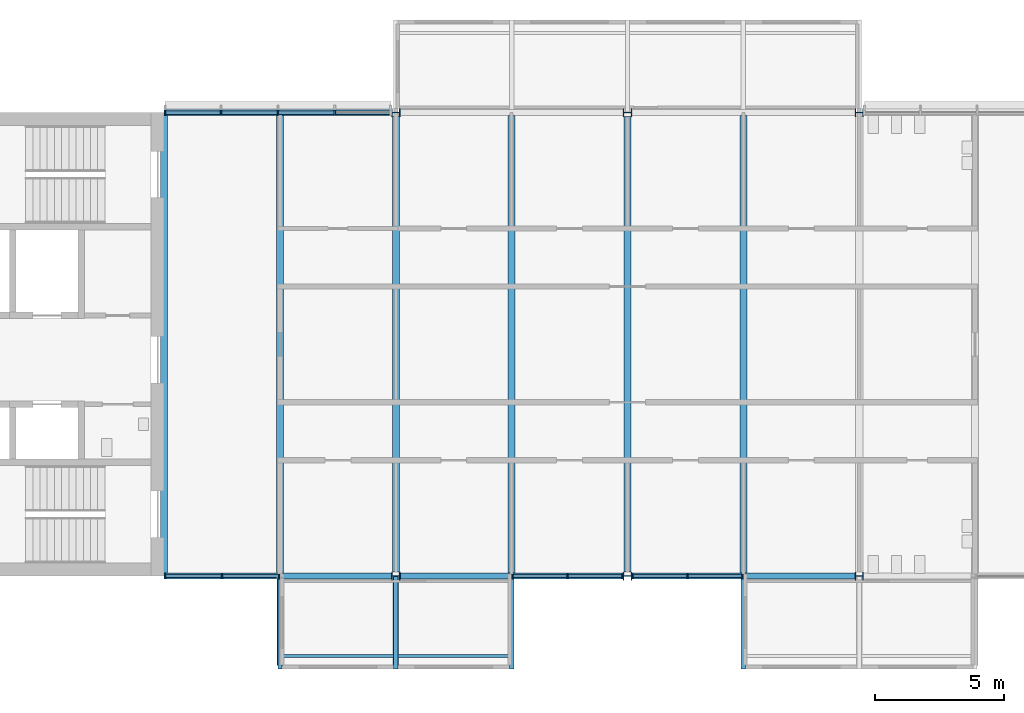
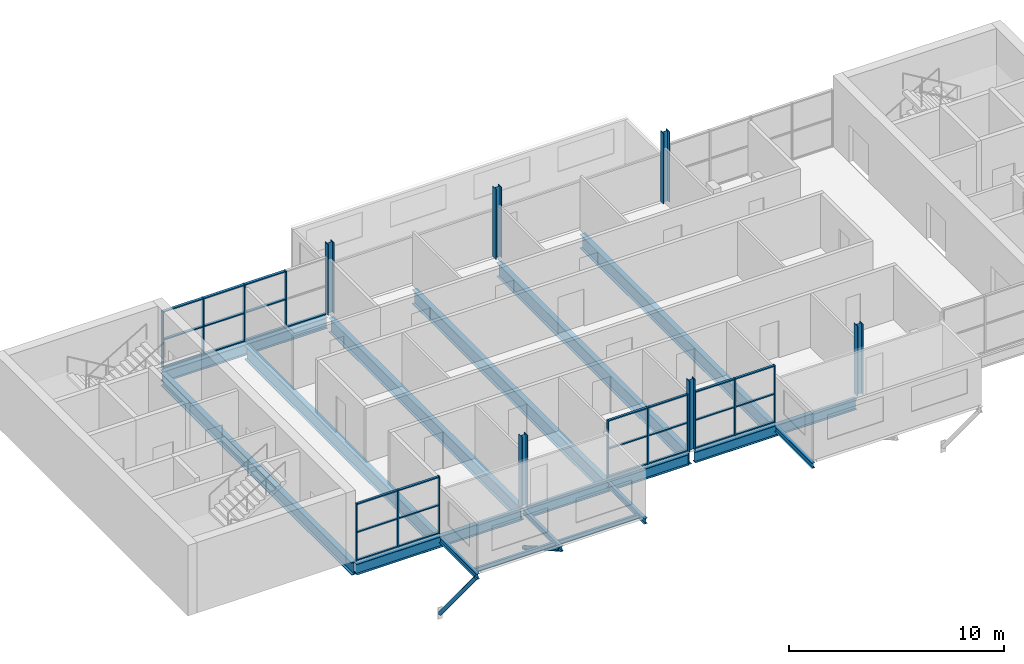
# One storey, part 1 of 12: 43 members, 16 beams, 6 columns, 4 elements without a shape of their own.
"""IFC4 building model written with IfcOpenShell, lengths in metres."""

from ifc_helpers import new_model, si_unit, direction, frame, origin, origin_2d, place, context, subcontext, project, spatial, rectangle, hollow_circle, i_section, extrude, material, layer, layer_set, material_profile, profile_set, type_object, element, aggregate, save


model = new_model("IFC4")

# Units and contexts
model_context = context("Model", 3, precision=1e-05, world=origin(), true_north=direction((0.0, 1.0)))
body_context = subcontext(model_context, "Body", "Model", "MODEL_VIEW")
ifc_project = project(units=[si_unit("LENGTHUNIT", "METRE"), si_unit("AREAUNIT", "SQUARE_METRE"), si_unit("VOLUMEUNIT", "CUBIC_METRE"), si_unit("PLANEANGLEUNIT", "RADIAN"), si_unit("MASSUNIT", "GRAM", prefix="KILO")], contexts=[model_context])

# Site, building, storey
site_placement = place(None, origin())
site = spatial("IfcSite", under=ifc_project, at=site_placement, CompositionType="ELEMENT")
building_placement = place(site_placement, origin())
building = spatial("IfcBuilding", under=site, at=building_placement, Name="Corbel Yard City Hall", CompositionType="ELEMENT")
storey_placement = place(building_placement, frame((0.0, 0.0, 55.199951171875)))
storey = spatial("IfcBuildingStorey", under=building, at=storey_placement, Name="L13", CompositionType="ELEMENT", Elevation=55.199951171875)

# Columns
ifc_material_1 = material(Name="Steel Grade 300 (300 MPa yield)", Category="steel")
ifc_material_profile_1 = material_profile(ifc_material_1, i_section(OverallWidth=0.31103515625, OverallDepth=0.326904296875, WebThickness=0.015625, FlangeThickness=0.02490234375, at=origin_2d()), Name="310UC158")
ifc_profile_set_1 = profile_set([ifc_material_profile_1], Name="Steel Grade 300 (300 MPa yield)")
column_type = type_object("IfcColumnType", Name="Column 310UC158", PredefinedType="COLUMN", material=ifc_profile_set_1)
for number, where, z_axis, x_axis, name in (
    (1, (18.0, 99.0, 0.0), (0.0, 0.0, 1.0), (0.0, 1.0, 0.0), "Column 310UC158 L/3 L13"),
    (2, (18.0, 117.0, 0.0), (0.0, 0.0, 1.0), (0.0, 1.0, 0.0), "Column 310UC158 N/3 L13"),
    (3, (27.0, 99.0, 0.0), (0.0, 0.0, 1.0), (0.0, 1.0, 0.0), "Column 310UC158 L/4 L13"),
    (4, (27.0, 117.0, 0.0), (0.0, 0.0, 1.0), (0.0, 1.0, 0.0), "Column 310UC158 N/4 L13"),
    (5, (36.0, 99.0, 0.0), (0.0, 0.0, 1.0), (0.0, 1.0, 0.0), "Column 310UC158 L/5 L13"),
    (6, (36.0, 117.0, 0.0), (0.0, 0.0, 1.0), (0.0, 1.0, 0.0), "Column 310UC158 N/5 L13"),
):
    element("IfcColumn", number, at=place(storey_placement, frame(where, z_axis=z_axis, x_axis=x_axis)), inside=storey, type_object=column_type, Name=name, PredefinedType="COLUMN", context=body_context, shape_type="SweptSolid", body=[
        extrude(i_section(OverallWidth=0.31103515625, OverallDepth=0.326904296875, WebThickness=0.015625, FlangeThickness=0.02490234375, at=origin_2d()), origin(), (0.0, 0.0, 1.0), 4.0),
    ])

# Beams
ifc_material_profile_2 = material_profile(ifc_material_1, i_section(OverallWidth=0.22900390625, OverallDepth=0.612060546875, WebThickness=0.011962890625, FlangeThickness=0.01953125, at=origin_2d()), Name="610UB125")
ifc_profile_set_2 = profile_set([ifc_material_profile_2], Name="Steel Grade 300 (300 MPa yield)")
beam_type_1 = type_object("IfcBeamType", Name="Edge beam 610UB125", PredefinedType="BEAM", material=ifc_profile_set_2)
beam_1_placement = place(storey_placement, frame((9.0, 99.0, -0.4560546875), z_axis=(1.0, 0.0, 0.0), x_axis=(0.0, 1.0, 0.0)))
element("IfcBeam", 7, at=beam_1_placement, inside=storey, type_object=beam_type_1, Name="Edge beam 610UB125 EB7 L13tower", PredefinedType="BEAM", context=body_context, shape_type="SweptSolid", body=[
    extrude(i_section(OverallWidth=0.22900390625, OverallDepth=0.612060546875, WebThickness=0.011962890625, FlangeThickness=0.01953125, at=origin_2d()), origin(), (0.0, 0.0, 1.0), 8.83642578125),
])
for number, where, z_axis, x_axis, name in (
    (8, (18.16357421875, 99.0, -0.4560546875), (1.0, 0.0, 0.0), (0.0, 1.0, 0.0), "Edge beam 610UB125 EB7 L13tower"),
    (9, (27.16357421875, 99.0, -0.4560546875), (1.0, 0.0, 0.0), (0.0, 1.0, 0.0), "Edge beam 610UB125 EB7 L13tower"),
):
    element("IfcBeam", number, at=place(storey_placement, frame(where, z_axis=z_axis, x_axis=x_axis)), inside=storey, type_object=beam_type_1, Name=name, PredefinedType="BEAM", context=body_context, shape_type="SweptSolid", body=[
        extrude(i_section(OverallWidth=0.22900390625, OverallDepth=0.612060546875, WebThickness=0.011962890625, FlangeThickness=0.01953125, at=origin_2d()), origin(), (0.0, 0.0, 1.0), 8.6728515625),
    ])
beam_2_placement = place(storey_placement, frame((9.0, 117.0, -0.4560546875), z_axis=(1.0, 0.0, 0.0), x_axis=(0.0, 1.0, 0.0)))
element("IfcBeam", 10, at=beam_2_placement, inside=storey, type_object=beam_type_1, Name="Edge beam 610UB125 EB7 L13tower", PredefinedType="BEAM", context=body_context, shape_type="SweptSolid", body=[
    extrude(i_section(OverallWidth=0.22900390625, OverallDepth=0.612060546875, WebThickness=0.011962890625, FlangeThickness=0.01953125, at=origin_2d()), origin(), (0.0, 0.0, 1.0), 8.83642578125),
])
ifc_material_2 = material(Name="Steel Grade 350", Category="steel")
ifc_material_profile_3 = material_profile(ifc_material_2, i_section(OverallWidth=0.27490234375, OverallDepth=0.800048828125, WebThickness=0.010009765625, FlangeThickness=0.02001953125, at=origin_2d()), Name="800WB146")
ifc_profile_set_3 = profile_set([ifc_material_profile_3], Name="Steel Grade 350")
beam_type_2 = type_object("IfcBeamType", Name="Long-span beam 800WB146", PredefinedType="BEAM", material=ifc_profile_set_3)
for number, where, z_axis, x_axis, name in (
    (11, (18.0, 99.155517578125, -0.550048828125), (0.0, 1.0, 0.0), (-1.0, 0.0, 0.0), "Long-span beam 800WB146 SB8 L13tower"),
    (12, (27.0, 99.155517578125, -0.550048828125), (0.0, 1.0, 0.0), (-1.0, 0.0, 0.0), "Long-span beam 800WB146 SB8 L13tower"),
):
    element("IfcBeam", number, at=place(storey_placement, frame(where, z_axis=z_axis, x_axis=x_axis)), inside=storey, type_object=beam_type_2, Name=name, PredefinedType="BEAM", context=body_context, shape_type="SweptSolid", body=[
        extrude(i_section(OverallWidth=0.27490234375, OverallDepth=0.800048828125, WebThickness=0.010009765625, FlangeThickness=0.02001953125, at=origin_2d()), origin(), (0.0, 0.0, 1.0), 17.68896484375),
    ])
ifc_material_profile_4 = material_profile(ifc_material_2, i_section(OverallWidth=0.27490234375, OverallDepth=0.716064453125, WebThickness=0.010009765625, FlangeThickness=0.028076171875, at=origin_2d()), Name="700WB173")
ifc_profile_set_4 = profile_set([ifc_material_profile_4], Name="Steel Grade 350")
beam_type_3 = type_object("IfcBeamType", Name="Long-span edge beam 700WB173", PredefinedType="BEAM", material=ifc_profile_set_4)
beam_3_placement = place(storey_placement, frame((9.0, 99.114501953125, -0.508056640625), z_axis=(0.0, 1.0, 0.0), x_axis=(-1.0, 0.0, 0.0)))
element("IfcBeam", 13, at=beam_3_placement, inside=storey, type_object=beam_type_3, Name="Long-span edge beam 700WB173 EB10 L13tower", PredefinedType="BEAM", context=body_context, shape_type="SweptSolid", body=[
    extrude(i_section(OverallWidth=0.27490234375, OverallDepth=0.716064453125, WebThickness=0.010009765625, FlangeThickness=0.028076171875, at=origin_2d()), origin(), (0.0, 0.0, 1.0), 17.77099609375),
])
ifc_material_profile_5 = material_profile(ifc_material_2, i_section(OverallWidth=0.27490234375, OverallDepth=0.800048828125, WebThickness=0.010009765625, FlangeThickness=0.02001953125, at=origin_2d()), Name="800WB146")
ifc_profile_set_5 = profile_set([ifc_material_profile_5], Name="Steel Grade 350")
beam_type_4 = type_object("IfcBeamType", Name="Long-span secondary beam 800WB146", PredefinedType="JOIST", material=ifc_profile_set_5)
for number, where, z_axis, x_axis, name in (
    (14, (13.5, 99.114501953125, -0.550048828125), (0.0, 1.0, 0.0), (-1.0, 0.0, 0.0), "Long-span secondary beam 800WB146 SB7 L13tower"),
    (15, (22.5, 99.114501953125, -0.550048828125), (0.0, 1.0, 0.0), (-1.0, 0.0, 0.0), "Long-span secondary beam 800WB146 SB7 L13tower"),
    (16, (31.5, 99.114501953125, -0.550048828125), (0.0, 1.0, 0.0), (-1.0, 0.0, 0.0), "Long-span secondary beam 800WB146 SB7 L13tower"),
):
    element("IfcBeam", number, at=place(storey_placement, frame(where, z_axis=z_axis, x_axis=x_axis)), inside=storey, type_object=beam_type_4, Name=name, PredefinedType="JOIST", context=body_context, shape_type="SweptSolid", body=[
        extrude(i_section(OverallWidth=0.27490234375, OverallDepth=0.800048828125, WebThickness=0.010009765625, FlangeThickness=0.02001953125, at=origin_2d()), origin(), (0.0, 0.0, 1.0), 17.77099609375),
    ])

# Curtain wall, members
ifc_material_3 = material(Name="Aluminium extrusion", Category="aluminium")
ifc_layer_1 = layer(ifc_material_3, 0.14990234375)
ifc_layer_set_1 = layer_set([ifc_layer_1], Name="Aluminium extrusion")
curtain_wall_type_1 = type_object("IfcCurtainWallType", Name="CW2", PredefinedType="USERDEFINED", material=ifc_layer_set_1)
curtain_wall_1_placement = place(storey_placement, origin())
curtain_wall_1 = element("IfcCurtainWall", 17, at=curtain_wall_1_placement, inside=storey, type_object=curtain_wall_type_1, Name="Curtain wall CW2 L13", ObjectType="CURTAIN WALL", PredefinedType="USERDEFINED")
ifc_material_profile_6 = material_profile(ifc_material_3, rectangle(XDim=0.14990234375, YDim=0.06494140625, at=origin_2d()), Name="150x65")
ifc_profile_set_6 = profile_set([ifc_material_profile_6], Name="Aluminium extrusion")
member_type_1 = type_object("IfcMemberType", Name="ML2", PredefinedType="MULLION", material=ifc_profile_set_6)
member_1_placement = place(storey_placement, frame((9.032470703125, 99.0, 0.0), z_axis=(0.0, 0.0, 1.0), x_axis=(0.0, 1.0, 0.0)))
member_1 = element("IfcMember", 18, at=member_1_placement, type_object=member_type_1, Name="CW2 mullion 1", PredefinedType="MULLION", context=body_context, shape_type="SweptSolid", body=[
    extrude(rectangle(XDim=0.14990234375, YDim=0.06494140625, at=origin_2d()), origin(), (0.0, 0.0, 1.0), 3.238037109375),
])
member_2_placement = place(storey_placement, frame((11.25, 99.0, 0.0), z_axis=(0.0, 0.0, 1.0), x_axis=(0.0, 1.0, 0.0)))
member_2 = element("IfcMember", 19, at=member_2_placement, type_object=member_type_1, Name="CW2 mullion 2", PredefinedType="MULLION", context=body_context, shape_type="SweptSolid", body=[
    extrude(rectangle(XDim=0.14990234375, YDim=0.06494140625, at=origin_2d()), origin(), (0.0, 0.0, 1.0), 3.238037109375),
])
member_3_placement = place(storey_placement, frame((13.467529296875, 99.0, 0.0), z_axis=(0.0, 0.0, 1.0), x_axis=(0.0, 1.0, 0.0)))
member_3 = element("IfcMember", 20, at=member_3_placement, type_object=member_type_1, Name="CW2 mullion 3", PredefinedType="MULLION", context=body_context, shape_type="SweptSolid", body=[
    extrude(rectangle(XDim=0.14990234375, YDim=0.06494140625, at=origin_2d()), origin(), (0.0, 0.0, 1.0), 3.238037109375),
])

curtain_wall_2_placement = place(storey_placement, origin())
curtain_wall_2 = element("IfcCurtainWall", 21, at=curtain_wall_2_placement, inside=storey, type_object=curtain_wall_type_1, Name="Curtain wall CW2 L13", ObjectType="CURTAIN WALL", PredefinedType="USERDEFINED")
member_4_placement = place(storey_placement, frame((22.532470703125, 99.0, 0.0), z_axis=(0.0, 0.0, 1.0), x_axis=(0.0, 1.0, 0.0)))
member_4 = element("IfcMember", 22, at=member_4_placement, type_object=member_type_1, Name="CW2 mullion 1", PredefinedType="MULLION", context=body_context, shape_type="SweptSolid", body=[
    extrude(rectangle(XDim=0.14990234375, YDim=0.06494140625, at=origin_2d()), origin(), (0.0, 0.0, 1.0), 3.238037109375),
])
member_5_placement = place(storey_placement, frame((24.668212890625, 99.0, 0.0), z_axis=(0.0, 0.0, 1.0), x_axis=(0.0, 1.0, 0.0)))
member_5 = element("IfcMember", 23, at=member_5_placement, type_object=member_type_1, Name="CW2 mullion 2", PredefinedType="MULLION", context=body_context, shape_type="SweptSolid", body=[
    extrude(rectangle(XDim=0.14990234375, YDim=0.06494140625, at=origin_2d()), origin(), (0.0, 0.0, 1.0), 3.238037109375),
])
member_6_placement = place(storey_placement, frame((26.803955078125, 99.0, 0.0), z_axis=(0.0, 0.0, 1.0), x_axis=(0.0, 1.0, 0.0)))
member_6 = element("IfcMember", 24, at=member_6_placement, type_object=member_type_1, Name="CW2 mullion 3", PredefinedType="MULLION", context=body_context, shape_type="SweptSolid", body=[
    extrude(rectangle(XDim=0.14990234375, YDim=0.06494140625, at=origin_2d()), origin(), (0.0, 0.0, 1.0), 3.238037109375),
])

curtain_wall_3_placement = place(storey_placement, origin())
curtain_wall_3 = element("IfcCurtainWall", 25, at=curtain_wall_3_placement, inside=storey, type_object=curtain_wall_type_1, Name="Curtain wall CW2 L13", ObjectType="CURTAIN WALL", PredefinedType="USERDEFINED")
member_7_placement = place(storey_placement, frame((27.196044921875, 99.0, 0.0), z_axis=(0.0, 0.0, 1.0), x_axis=(0.0, 1.0, 0.0)))
member_7 = element("IfcMember", 26, at=member_7_placement, type_object=member_type_1, Name="CW2 mullion 1", PredefinedType="MULLION", context=body_context, shape_type="SweptSolid", body=[
    extrude(rectangle(XDim=0.14990234375, YDim=0.06494140625, at=origin_2d()), origin(), (0.0, 0.0, 1.0), 3.238037109375),
])
member_8_placement = place(storey_placement, frame((29.331787109375, 99.0, 0.0), z_axis=(0.0, 0.0, 1.0), x_axis=(0.0, 1.0, 0.0)))
member_8 = element("IfcMember", 27, at=member_8_placement, type_object=member_type_1, Name="CW2 mullion 2", PredefinedType="MULLION", context=body_context, shape_type="SweptSolid", body=[
    extrude(rectangle(XDim=0.14990234375, YDim=0.06494140625, at=origin_2d()), origin(), (0.0, 0.0, 1.0), 3.238037109375),
])
member_9_placement = place(storey_placement, frame((31.467529296875, 99.0, 0.0), z_axis=(0.0, 0.0, 1.0), x_axis=(0.0, 1.0, 0.0)))
member_9 = element("IfcMember", 28, at=member_9_placement, type_object=member_type_1, Name="CW2 mullion 3", PredefinedType="MULLION", context=body_context, shape_type="SweptSolid", body=[
    extrude(rectangle(XDim=0.14990234375, YDim=0.06494140625, at=origin_2d()), origin(), (0.0, 0.0, 1.0), 3.238037109375),
])

ifc_layer_2 = layer(ifc_material_3, 0.179931640625)
ifc_layer_set_2 = layer_set([ifc_layer_2], Name="Aluminium extrusion")
curtain_wall_type_2 = type_object("IfcCurtainWallType", Name="CW6", PredefinedType="USERDEFINED", material=ifc_layer_set_2)
curtain_wall_4_placement = place(storey_placement, origin())
curtain_wall_4 = element("IfcCurtainWall", 29, at=curtain_wall_4_placement, inside=storey, type_object=curtain_wall_type_2, Name="Curtain wall CW6 L13", ObjectType="CURTAIN WALL", PredefinedType="USERDEFINED")
ifc_material_profile_7 = material_profile(ifc_material_3, rectangle(XDim=0.179931640625, YDim=0.06494140625, at=origin_2d()), Name="180x65")
ifc_profile_set_7 = profile_set([ifc_material_profile_7], Name="Aluminium extrusion")
member_type_2 = type_object("IfcMemberType", Name="ML6", PredefinedType="MULLION", material=ifc_profile_set_7)
member_10_placement = place(storey_placement, frame((9.032470703125, 117.0, 0.0), z_axis=(0.0, 0.0, 1.0), x_axis=(0.0, 1.0, 0.0)))
member_10 = element("IfcMember", 30, at=member_10_placement, type_object=member_type_2, Name="CW6 mullion 1", PredefinedType="MULLION", context=body_context, shape_type="SweptSolid", body=[
    extrude(rectangle(XDim=0.179931640625, YDim=0.06494140625, at=origin_2d()), origin(), (0.0, 0.0, 1.0), 3.238037109375),
])
member_11_placement = place(storey_placement, frame((11.209228515625, 117.0, 0.0), z_axis=(0.0, 0.0, 1.0), x_axis=(0.0, 1.0, 0.0)))
member_11 = element("IfcMember", 31, at=member_11_placement, type_object=member_type_2, Name="CW6 mullion 2", PredefinedType="MULLION", context=body_context, shape_type="SweptSolid", body=[
    extrude(rectangle(XDim=0.179931640625, YDim=0.06494140625, at=origin_2d()), origin(), (0.0, 0.0, 1.0), 3.238037109375),
])
member_12_placement = place(storey_placement, frame((13.418212890625, 117.0, 0.0), z_axis=(0.0, 0.0, 1.0), x_axis=(0.0, 1.0, 0.0)))
member_12 = element("IfcMember", 32, at=member_12_placement, type_object=member_type_2, Name="CW6 mullion 3", PredefinedType="MULLION", context=body_context, shape_type="SweptSolid", body=[
    extrude(rectangle(XDim=0.179931640625, YDim=0.06494140625, at=origin_2d()), origin(), (0.0, 0.0, 1.0), 3.238037109375),
])
member_13_placement = place(storey_placement, frame((15.62744140625, 117.0, 0.0), z_axis=(0.0, 0.0, 1.0), x_axis=(0.0, 1.0, 0.0)))
member_13 = element("IfcMember", 33, at=member_13_placement, type_object=member_type_2, Name="CW6 mullion 4", PredefinedType="MULLION", context=body_context, shape_type="SweptSolid", body=[
    extrude(rectangle(XDim=0.179931640625, YDim=0.06494140625, at=origin_2d()), origin(), (0.0, 0.0, 1.0), 3.238037109375),
])

# Members
ifc_material_4 = material(Name="Steel Grade C350L0", Category="steel")
ifc_material_profile_8 = material_profile(ifc_material_4, hollow_circle(Radius=0.109619140625, WallThickness=0.00830078125, at=origin_2d()), Name="219.1x8.2CHS")
ifc_profile_set_8 = profile_set([ifc_material_profile_8], Name="Steel Grade C350L0")
member_type_3 = type_object("IfcMemberType", Name="Pod knee brace", PredefinedType="BRACE", material=ifc_profile_set_8)
member_14_placement = place(storey_placement, frame((13.5, 95.56005859375, -0.4169921875), z_axis=(0.0, 0.634337153604, -0.773056515112), x_axis=(-1.0, 0.0, 0.0)))
element("IfcMember", 34, at=member_14_placement, inside=storey, type_object=member_type_3, Name="Pod knee brace", PredefinedType="BRACE", context=body_context, shape_type="SweptSolid", body=[
    extrude(hollow_circle(Radius=0.109619140625, WallThickness=0.00830078125, at=origin_2d()), origin(), (0.0, 0.0, 1.0), 5.28173828125),
])
member_15_placement = place(storey_placement, frame((18.0, 95.56005859375, -0.4169921875), z_axis=(0.0, 0.865984367075, -0.500071070931), x_axis=(-1.0, 0.0, 0.0)))
element("IfcMember", 35, at=member_15_placement, inside=storey, type_object=member_type_3, Name="Pod knee brace", PredefinedType="BRACE", context=body_context, shape_type="SweptSolid", body=[
    extrude(hollow_circle(Radius=0.109619140625, WallThickness=0.00830078125, at=origin_2d()), origin(), (0.0, 0.0, 1.0), 3.89990234375),
])

# Beams
ifc_material_profile_9 = material_profile(ifc_material_1, i_section(OverallWidth=0.166015625, OverallDepth=0.306884765625, WebThickness=0.006591796875, FlangeThickness=0.01171875, at=origin_2d()), Name="310UB46.2")
ifc_profile_set_9 = profile_set([ifc_material_profile_9], Name="Steel Grade 300 (300 MPa yield)")
beam_type_5 = type_object("IfcBeamType", Name="Pod stub beam 310UB46.2", PredefinedType="BEAM", material=ifc_profile_set_9)
beam_4_placement = place(storey_placement, frame((13.5, 95.39990234375, -0.303466796875), z_axis=(0.0, 1.0, 0.0), x_axis=(-1.0, 0.0, 0.0)))
element("IfcBeam", 36, at=beam_4_placement, inside=storey, type_object=beam_type_5, Name="Pod stub 310UB46.2 CB1 L13", PredefinedType="BEAM", context=body_context, shape_type="SweptSolid", body=[
    extrude(i_section(OverallWidth=0.166015625, OverallDepth=0.306884765625, WebThickness=0.006591796875, FlangeThickness=0.01171875, at=origin_2d()), origin(), (0.0, 0.0, 1.0), 3.485595703125),
])
beam_5_placement = place(storey_placement, frame((18.0, 95.39990234375, -0.303466796875), z_axis=(0.0, 1.0, 0.0), x_axis=(-1.0, 0.0, 0.0)))
element("IfcBeam", 37, at=beam_5_placement, inside=storey, type_object=beam_type_5, Name="Pod stub 310UB46.2 CB1 L13", PredefinedType="BEAM", context=body_context, shape_type="SweptSolid", body=[
    extrude(i_section(OverallWidth=0.166015625, OverallDepth=0.306884765625, WebThickness=0.006591796875, FlangeThickness=0.01171875, at=origin_2d()), origin(), (0.0, 0.0, 1.0), 3.59228515625),
])
for number, where, z_axis, x_axis, name in (
    (38, (22.5, 95.39990234375, -0.303466796875), (0.0, 1.0, 0.0), (-1.0, 0.0, 0.0), "Pod stub 310UB46.2 CB1 L13"),
    (39, (31.5, 95.39990234375, -0.303466796875), (0.0, 1.0, 0.0), (-1.0, 0.0, 0.0), "Pod stub 310UB46.2 CB1 L13"),
):
    element("IfcBeam", number, at=place(storey_placement, frame(where, z_axis=z_axis, x_axis=x_axis)), inside=storey, type_object=beam_type_5, Name=name, PredefinedType="BEAM", context=body_context, shape_type="SweptSolid", body=[
        extrude(i_section(OverallWidth=0.166015625, OverallDepth=0.306884765625, WebThickness=0.006591796875, FlangeThickness=0.01171875, at=origin_2d()), origin(), (0.0, 0.0, 1.0), 3.485595703125),
    ])
ifc_material_profile_10 = material_profile(ifc_material_1, i_section(OverallWidth=0.1240234375, OverallDepth=0.248046875, WebThickness=0.0048828125, FlangeThickness=0.008056640625, at=origin_2d()), Name="250UB25.7")
ifc_profile_set_10 = profile_set([ifc_material_profile_10], Name="Steel Grade 300 (300 MPa yield)")
beam_type_6 = type_object("IfcBeamType", Name="Pod tip beam", PredefinedType="BEAM", material=ifc_profile_set_10)
for number, where, z_axis, x_axis, name in (
    (40, (13.5830078125, 95.89990234375, -0.27392578125), (1.0, 0.0, 0.0), (0.0, 1.0, 0.0), "Pod tip beam"),
    (41, (18.0830078125, 95.89990234375, -0.27392578125), (1.0, 0.0, 0.0), (0.0, 1.0, 0.0), "Pod tip beam"),
):
    element("IfcBeam", number, at=place(storey_placement, frame(where, z_axis=z_axis, x_axis=x_axis)), inside=storey, type_object=beam_type_6, Name=name, PredefinedType="BEAM", context=body_context, shape_type="SweptSolid", body=[
        extrude(i_section(OverallWidth=0.1240234375, OverallDepth=0.248046875, WebThickness=0.0048828125, FlangeThickness=0.008056640625, at=origin_2d()), origin(), (0.0, 0.0, 1.0), 4.333984375),
    ])

# Member
ifc_material_profile_11 = material_profile(ifc_material_3, rectangle(XDim=0.1201171875, YDim=0.06494140625, at=origin_2d()), Name="120x65")
ifc_profile_set_11 = profile_set([ifc_material_profile_11], Name="Aluminium extrusion")
member_type_4 = type_object("IfcMemberType", Name="TR2", PredefinedType="USERDEFINED", material=ifc_profile_set_11)
member_16_placement = place(storey_placement, frame((9.06494140625, 99.0, 0.032470703125), z_axis=(1.0, 0.0, 0.0), x_axis=(0.0, 1.0, 0.0)))
member_16 = element("IfcMember", 42, at=member_16_placement, type_object=member_type_4, Name="CW2 transom 1.1", ObjectType="TRANSOM", PredefinedType="USERDEFINED", context=body_context, shape_type="SweptSolid", body=[
    extrude(rectangle(XDim=0.1201171875, YDim=0.06494140625, at=origin_2d()), origin(), (0.0, 0.0, 1.0), 2.152587890625),
])

member_17_placement = place(storey_placement, frame((9.06494140625, 99.0, 1.619140625), z_axis=(1.0, 0.0, 0.0), x_axis=(0.0, 1.0, 0.0)))
member_17 = element("IfcMember", 43, at=member_17_placement, type_object=member_type_4, Name="CW2 transom 1.2", ObjectType="TRANSOM", PredefinedType="USERDEFINED", context=body_context, shape_type="SweptSolid", body=[
    extrude(rectangle(XDim=0.1201171875, YDim=0.06494140625, at=origin_2d()), origin(), (0.0, 0.0, 1.0), 2.152587890625),
])

member_18_placement = place(storey_placement, frame((9.06494140625, 99.0, 3.20556640625), z_axis=(1.0, 0.0, 0.0), x_axis=(0.0, 1.0, 0.0)))
member_18 = element("IfcMember", 44, at=member_18_placement, type_object=member_type_4, Name="CW2 transom 1.3", ObjectType="TRANSOM", PredefinedType="USERDEFINED", context=body_context, shape_type="SweptSolid", body=[
    extrude(rectangle(XDim=0.1201171875, YDim=0.06494140625, at=origin_2d()), origin(), (0.0, 0.0, 1.0), 2.152587890625),
])

member_19_placement = place(storey_placement, frame((11.282470703125, 99.0, 0.032470703125), z_axis=(1.0, 0.0, 0.0), x_axis=(0.0, 1.0, 0.0)))
member_19 = element("IfcMember", 45, at=member_19_placement, type_object=member_type_4, Name="CW2 transom 2.1", ObjectType="TRANSOM", PredefinedType="USERDEFINED", context=body_context, shape_type="SweptSolid", body=[
    extrude(rectangle(XDim=0.1201171875, YDim=0.06494140625, at=origin_2d()), origin(), (0.0, 0.0, 1.0), 2.152587890625),
])

member_20_placement = place(storey_placement, frame((11.282470703125, 99.0, 1.619140625), z_axis=(1.0, 0.0, 0.0), x_axis=(0.0, 1.0, 0.0)))
member_20 = element("IfcMember", 46, at=member_20_placement, type_object=member_type_4, Name="CW2 transom 2.2", ObjectType="TRANSOM", PredefinedType="USERDEFINED", context=body_context, shape_type="SweptSolid", body=[
    extrude(rectangle(XDim=0.1201171875, YDim=0.06494140625, at=origin_2d()), origin(), (0.0, 0.0, 1.0), 2.152587890625),
])

member_21_placement = place(storey_placement, frame((11.282470703125, 99.0, 3.20556640625), z_axis=(1.0, 0.0, 0.0), x_axis=(0.0, 1.0, 0.0)))
member_21 = element("IfcMember", 47, at=member_21_placement, type_object=member_type_4, Name="CW2 transom 2.3", ObjectType="TRANSOM", PredefinedType="USERDEFINED", context=body_context, shape_type="SweptSolid", body=[
    extrude(rectangle(XDim=0.1201171875, YDim=0.06494140625, at=origin_2d()), origin(), (0.0, 0.0, 1.0), 2.152587890625),
])

aggregate(curtain_wall_1, [member_1, member_2, member_3, member_16, member_17, member_18, member_19, member_20, member_21])

member_22_placement = place(storey_placement, frame((22.56494140625, 99.0, 0.032470703125), z_axis=(1.0, 0.0, 0.0), x_axis=(0.0, 1.0, 0.0)))
member_22 = element("IfcMember", 48, at=member_22_placement, type_object=member_type_4, Name="CW2 transom 1.1", ObjectType="TRANSOM", PredefinedType="USERDEFINED", context=body_context, shape_type="SweptSolid", body=[
    extrude(rectangle(XDim=0.1201171875, YDim=0.06494140625, at=origin_2d()), origin(), (0.0, 0.0, 1.0), 2.07080078125),
])

member_23_placement = place(storey_placement, frame((22.56494140625, 99.0, 1.619140625), z_axis=(1.0, 0.0, 0.0), x_axis=(0.0, 1.0, 0.0)))
member_23 = element("IfcMember", 49, at=member_23_placement, type_object=member_type_4, Name="CW2 transom 1.2", ObjectType="TRANSOM", PredefinedType="USERDEFINED", context=body_context, shape_type="SweptSolid", body=[
    extrude(rectangle(XDim=0.1201171875, YDim=0.06494140625, at=origin_2d()), origin(), (0.0, 0.0, 1.0), 2.07080078125),
])

member_24_placement = place(storey_placement, frame((22.56494140625, 99.0, 3.20556640625), z_axis=(1.0, 0.0, 0.0), x_axis=(0.0, 1.0, 0.0)))
member_24 = element("IfcMember", 50, at=member_24_placement, type_object=member_type_4, Name="CW2 transom 1.3", ObjectType="TRANSOM", PredefinedType="USERDEFINED", context=body_context, shape_type="SweptSolid", body=[
    extrude(rectangle(XDim=0.1201171875, YDim=0.06494140625, at=origin_2d()), origin(), (0.0, 0.0, 1.0), 2.07080078125),
])

member_25_placement = place(storey_placement, frame((24.70068359375, 99.0, 0.032470703125), z_axis=(1.0, 0.0, 0.0), x_axis=(0.0, 1.0, 0.0)))
member_25 = element("IfcMember", 51, at=member_25_placement, type_object=member_type_4, Name="CW2 transom 2.1", ObjectType="TRANSOM", PredefinedType="USERDEFINED", context=body_context, shape_type="SweptSolid", body=[
    extrude(rectangle(XDim=0.1201171875, YDim=0.06494140625, at=origin_2d()), origin(), (0.0, 0.0, 1.0), 2.07080078125),
])

member_26_placement = place(storey_placement, frame((24.70068359375, 99.0, 1.619140625), z_axis=(1.0, 0.0, 0.0), x_axis=(0.0, 1.0, 0.0)))
member_26 = element("IfcMember", 52, at=member_26_placement, type_object=member_type_4, Name="CW2 transom 2.2", ObjectType="TRANSOM", PredefinedType="USERDEFINED", context=body_context, shape_type="SweptSolid", body=[
    extrude(rectangle(XDim=0.1201171875, YDim=0.06494140625, at=origin_2d()), origin(), (0.0, 0.0, 1.0), 2.07080078125),
])

member_27_placement = place(storey_placement, frame((24.70068359375, 99.0, 3.20556640625), z_axis=(1.0, 0.0, 0.0), x_axis=(0.0, 1.0, 0.0)))
member_27 = element("IfcMember", 53, at=member_27_placement, type_object=member_type_4, Name="CW2 transom 2.3", ObjectType="TRANSOM", PredefinedType="USERDEFINED", context=body_context, shape_type="SweptSolid", body=[
    extrude(rectangle(XDim=0.1201171875, YDim=0.06494140625, at=origin_2d()), origin(), (0.0, 0.0, 1.0), 2.07080078125),
])

aggregate(curtain_wall_2, [member_4, member_5, member_6, member_22, member_23, member_24, member_25, member_26, member_27])

member_28_placement = place(storey_placement, frame((27.228515625, 99.0, 0.032470703125), z_axis=(1.0, 0.0, 0.0), x_axis=(0.0, 1.0, 0.0)))
member_28 = element("IfcMember", 54, at=member_28_placement, type_object=member_type_4, Name="CW2 transom 1.1", ObjectType="TRANSOM", PredefinedType="USERDEFINED", context=body_context, shape_type="SweptSolid", body=[
    extrude(rectangle(XDim=0.1201171875, YDim=0.06494140625, at=origin_2d()), origin(), (0.0, 0.0, 1.0), 2.07080078125),
])

member_29_placement = place(storey_placement, frame((27.228515625, 99.0, 1.619140625), z_axis=(1.0, 0.0, 0.0), x_axis=(0.0, 1.0, 0.0)))
member_29 = element("IfcMember", 55, at=member_29_placement, type_object=member_type_4, Name="CW2 transom 1.2", ObjectType="TRANSOM", PredefinedType="USERDEFINED", context=body_context, shape_type="SweptSolid", body=[
    extrude(rectangle(XDim=0.1201171875, YDim=0.06494140625, at=origin_2d()), origin(), (0.0, 0.0, 1.0), 2.07080078125),
])

member_30_placement = place(storey_placement, frame((27.228515625, 99.0, 3.20556640625), z_axis=(1.0, 0.0, 0.0), x_axis=(0.0, 1.0, 0.0)))
member_30 = element("IfcMember", 56, at=member_30_placement, type_object=member_type_4, Name="CW2 transom 1.3", ObjectType="TRANSOM", PredefinedType="USERDEFINED", context=body_context, shape_type="SweptSolid", body=[
    extrude(rectangle(XDim=0.1201171875, YDim=0.06494140625, at=origin_2d()), origin(), (0.0, 0.0, 1.0), 2.07080078125),
])

member_31_placement = place(storey_placement, frame((29.3642578125, 99.0, 0.032470703125), z_axis=(1.0, 0.0, 0.0), x_axis=(0.0, 1.0, 0.0)))
member_31 = element("IfcMember", 57, at=member_31_placement, type_object=member_type_4, Name="CW2 transom 2.1", ObjectType="TRANSOM", PredefinedType="USERDEFINED", context=body_context, shape_type="SweptSolid", body=[
    extrude(rectangle(XDim=0.1201171875, YDim=0.06494140625, at=origin_2d()), origin(), (0.0, 0.0, 1.0), 2.07080078125),
])

member_32_placement = place(storey_placement, frame((29.3642578125, 99.0, 1.619140625), z_axis=(1.0, 0.0, 0.0), x_axis=(0.0, 1.0, 0.0)))
member_32 = element("IfcMember", 58, at=member_32_placement, type_object=member_type_4, Name="CW2 transom 2.2", ObjectType="TRANSOM", PredefinedType="USERDEFINED", context=body_context, shape_type="SweptSolid", body=[
    extrude(rectangle(XDim=0.1201171875, YDim=0.06494140625, at=origin_2d()), origin(), (0.0, 0.0, 1.0), 2.07080078125),
])

member_33_placement = place(storey_placement, frame((29.3642578125, 99.0, 3.20556640625), z_axis=(1.0, 0.0, 0.0), x_axis=(0.0, 1.0, 0.0)))
member_33 = element("IfcMember", 59, at=member_33_placement, type_object=member_type_4, Name="CW2 transom 2.3", ObjectType="TRANSOM", PredefinedType="USERDEFINED", context=body_context, shape_type="SweptSolid", body=[
    extrude(rectangle(XDim=0.1201171875, YDim=0.06494140625, at=origin_2d()), origin(), (0.0, 0.0, 1.0), 2.07080078125),
])

aggregate(curtain_wall_3, [member_7, member_8, member_9, member_28, member_29, member_30, member_31, member_32, member_33])

ifc_material_profile_12 = material_profile(ifc_material_3, rectangle(XDim=0.139892578125, YDim=0.06494140625, at=origin_2d()), Name="140x65")
ifc_profile_set_12 = profile_set([ifc_material_profile_12], Name="Aluminium extrusion")
member_type_5 = type_object("IfcMemberType", Name="TR6", PredefinedType="USERDEFINED", material=ifc_profile_set_12)
member_34_placement = place(storey_placement, frame((9.06494140625, 117.0, 0.032470703125), z_axis=(1.0, 0.0, 0.0), x_axis=(0.0, 1.0, 0.0)))
member_34 = element("IfcMember", 60, at=member_34_placement, type_object=member_type_5, Name="CW6 transom 1.1", ObjectType="TRANSOM", PredefinedType="USERDEFINED", context=body_context, shape_type="SweptSolid", body=[
    extrude(rectangle(XDim=0.139892578125, YDim=0.06494140625, at=origin_2d()), origin(), (0.0, 0.0, 1.0), 2.111572265625),
])

member_35_placement = place(storey_placement, frame((9.06494140625, 117.0, 1.619140625), z_axis=(1.0, 0.0, 0.0), x_axis=(0.0, 1.0, 0.0)))
member_35 = element("IfcMember", 61, at=member_35_placement, type_object=member_type_5, Name="CW6 transom 1.2", ObjectType="TRANSOM", PredefinedType="USERDEFINED", context=body_context, shape_type="SweptSolid", body=[
    extrude(rectangle(XDim=0.139892578125, YDim=0.06494140625, at=origin_2d()), origin(), (0.0, 0.0, 1.0), 2.111572265625),
])

member_36_placement = place(storey_placement, frame((9.06494140625, 117.0, 3.20556640625), z_axis=(1.0, 0.0, 0.0), x_axis=(0.0, 1.0, 0.0)))
member_36 = element("IfcMember", 62, at=member_36_placement, type_object=member_type_5, Name="CW6 transom 1.3", ObjectType="TRANSOM", PredefinedType="USERDEFINED", context=body_context, shape_type="SweptSolid", body=[
    extrude(rectangle(XDim=0.139892578125, YDim=0.06494140625, at=origin_2d()), origin(), (0.0, 0.0, 1.0), 2.111572265625),
])

member_37_placement = place(storey_placement, frame((11.24169921875, 117.0, 0.032470703125), z_axis=(1.0, 0.0, 0.0), x_axis=(0.0, 1.0, 0.0)))
member_37 = element("IfcMember", 63, at=member_37_placement, type_object=member_type_5, Name="CW6 transom 2.1", ObjectType="TRANSOM", PredefinedType="USERDEFINED", context=body_context, shape_type="SweptSolid", body=[
    extrude(rectangle(XDim=0.139892578125, YDim=0.06494140625, at=origin_2d()), origin(), (0.0, 0.0, 1.0), 2.14404296875),
])

member_38_placement = place(storey_placement, frame((11.24169921875, 117.0, 1.619140625), z_axis=(1.0, 0.0, 0.0), x_axis=(0.0, 1.0, 0.0)))
member_38 = element("IfcMember", 64, at=member_38_placement, type_object=member_type_5, Name="CW6 transom 2.2", ObjectType="TRANSOM", PredefinedType="USERDEFINED", context=body_context, shape_type="SweptSolid", body=[
    extrude(rectangle(XDim=0.139892578125, YDim=0.06494140625, at=origin_2d()), origin(), (0.0, 0.0, 1.0), 2.14404296875),
])

member_39_placement = place(storey_placement, frame((11.24169921875, 117.0, 3.20556640625), z_axis=(1.0, 0.0, 0.0), x_axis=(0.0, 1.0, 0.0)))
member_39 = element("IfcMember", 65, at=member_39_placement, type_object=member_type_5, Name="CW6 transom 2.3", ObjectType="TRANSOM", PredefinedType="USERDEFINED", context=body_context, shape_type="SweptSolid", body=[
    extrude(rectangle(XDim=0.139892578125, YDim=0.06494140625, at=origin_2d()), origin(), (0.0, 0.0, 1.0), 2.14404296875),
])

member_40_placement = place(storey_placement, frame((13.45068359375, 117.0, 0.032470703125), z_axis=(1.0, 0.0, 0.0), x_axis=(0.0, 1.0, 0.0)))
member_40 = element("IfcMember", 66, at=member_40_placement, type_object=member_type_5, Name="CW6 transom 3.1", ObjectType="TRANSOM", PredefinedType="USERDEFINED", context=body_context, shape_type="SweptSolid", body=[
    extrude(rectangle(XDim=0.139892578125, YDim=0.06494140625, at=origin_2d()), origin(), (0.0, 0.0, 1.0), 2.144287109375),
])

member_41_placement = place(storey_placement, frame((13.45068359375, 117.0, 1.619140625), z_axis=(1.0, 0.0, 0.0), x_axis=(0.0, 1.0, 0.0)))
member_41 = element("IfcMember", 67, at=member_41_placement, type_object=member_type_5, Name="CW6 transom 3.2", ObjectType="TRANSOM", PredefinedType="USERDEFINED", context=body_context, shape_type="SweptSolid", body=[
    extrude(rectangle(XDim=0.139892578125, YDim=0.06494140625, at=origin_2d()), origin(), (0.0, 0.0, 1.0), 2.144287109375),
])

member_42_placement = place(storey_placement, frame((13.45068359375, 117.0, 3.20556640625), z_axis=(1.0, 0.0, 0.0), x_axis=(0.0, 1.0, 0.0)))
member_42 = element("IfcMember", 68, at=member_42_placement, type_object=member_type_5, Name="CW6 transom 3.3", ObjectType="TRANSOM", PredefinedType="USERDEFINED", context=body_context, shape_type="SweptSolid", body=[
    extrude(rectangle(XDim=0.139892578125, YDim=0.06494140625, at=origin_2d()), origin(), (0.0, 0.0, 1.0), 2.144287109375),
])

member_43_placement = place(storey_placement, frame((15.659912109375, 117.0, 0.032470703125), z_axis=(1.0, 0.0, 0.0), x_axis=(0.0, 1.0, 0.0)))
member_43 = element("IfcMember", 69, at=member_43_placement, type_object=member_type_5, Name="CW6 transom 4.1", ObjectType="TRANSOM", PredefinedType="USERDEFINED", context=body_context, shape_type="SweptSolid", body=[
    extrude(rectangle(XDim=0.139892578125, YDim=0.06494140625, at=origin_2d()), origin(), (0.0, 0.0, 1.0), 2.111572265625),
])

aggregate(curtain_wall_4, [member_10, member_11, member_12, member_13, member_34, member_35, member_36, member_37, member_38, member_39, member_40, member_41, member_42, member_43])

save(model, "model.ifc")
